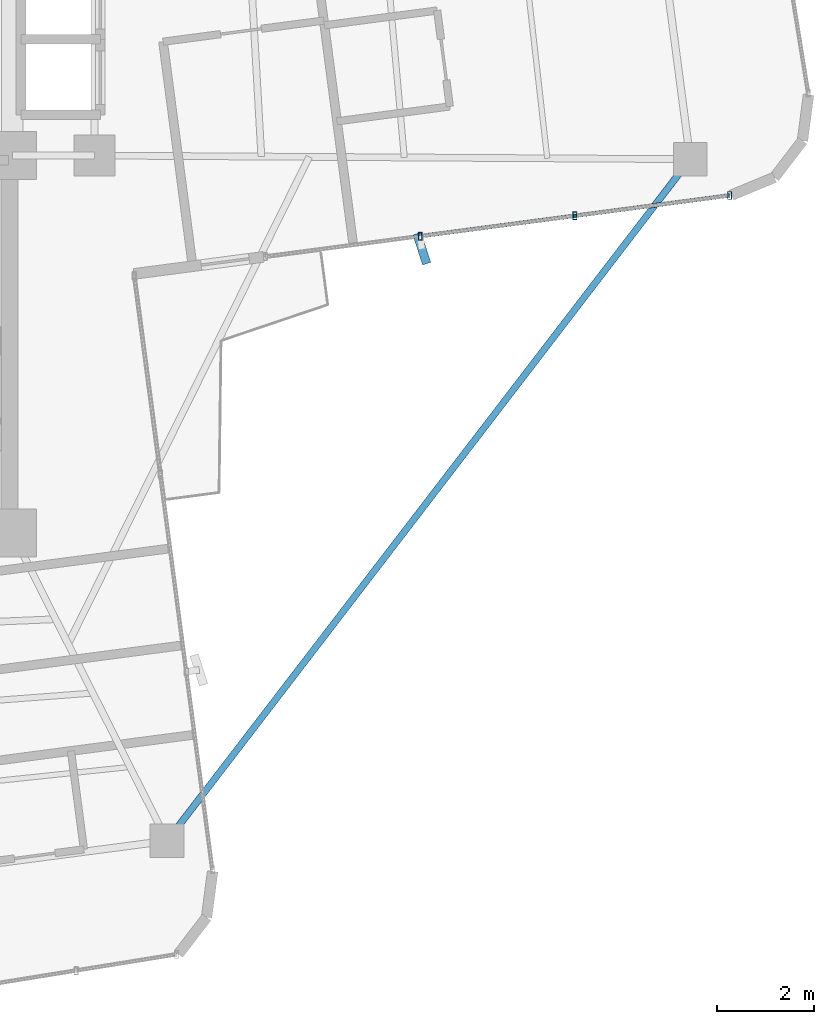
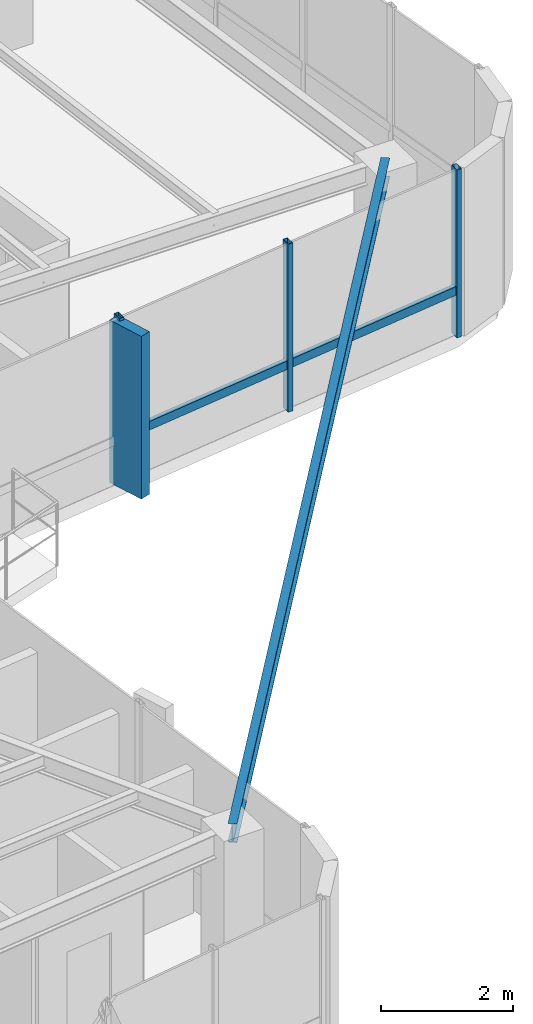
# One storey, part 12 of 22: 6 members, 1 beam, 1 element without a shape of its own.
"""IFC4 building model written with IfcOpenShell, lengths in metres."""

from ifc_helpers import new_model, si_unit, direction, frame, origin, origin_2d, place, context, subcontext, project, spatial, rectangle, hollow_rectangle, i_section, extrude, source, transform, mapped, material, material_profile, profile_set, type_object, element, aggregate, save


model = new_model("IFC4")

# Units and contexts
model_context = context("Model", 3, precision=1e-05, world=origin(), true_north=direction((0.0, 1.0)))
body_context = subcontext(model_context, "Body", "Model", "MODEL_VIEW")
ifc_project = project(units=[si_unit("LENGTHUNIT", "METRE"), si_unit("AREAUNIT", "SQUARE_METRE"), si_unit("VOLUMEUNIT", "CUBIC_METRE"), si_unit("PLANEANGLEUNIT", "RADIAN"), si_unit("MASSUNIT", "GRAM", prefix="KILO")], contexts=[model_context])

# Site, building, storey
site_placement = place(None, origin())
site = spatial("IfcSite", under=ifc_project, at=site_placement, CompositionType="ELEMENT")
building_placement = place(site_placement, origin())
building = spatial("IfcBuilding", under=site, at=building_placement, Name="Sahyath Konkavel Grand Hotel", CompositionType="ELEMENT")
storey_placement = place(building_placement, frame((0.0, 0.0, 234.449951171875)))
storey = spatial("IfcBuildingStorey", under=building, at=storey_placement, Name="L65", CompositionType="ELEMENT", Elevation=234.449951171875)

# Beam
ifc_material_1 = material(Name="Steel E350", Category="steel")
ifc_material_profile_1 = material_profile(ifc_material_1, i_section(OverallWidth=0.139892578125, OverallDepth=0.35009765625, WebThickness=0.008056640625, FlangeThickness=0.01416015625, FilletRadius=0.013916015625, at=origin_2d()), Name="ISMB 350")
ifc_profile_set_1 = profile_set([ifc_material_profile_1], Name="Steel E350")
beam_type = type_object("IfcBeamType", Name="BM-ISMB350", PredefinedType="BEAM", material=ifc_profile_set_1)
shared_shape_1 = source(origin(), body_context, "Body", "SweptSolid", [
    extrude(i_section(OverallWidth=0.139892578125, OverallDepth=0.35009765625, WebThickness=0.008056640625, FlangeThickness=0.01416015625, FilletRadius=0.013916015625, at=origin_2d()), origin(), (0.0, 0.0, 1.0), 17.754150390625),
])
beam_placement = place(storey_placement, frame((17.80859375, -2.4755859375, 2.93505859375), z_axis=(-0.608766657421, -0.793349328362, 0.0), x_axis=(0.793349328362, -0.608766657421, 0.0)))
element("IfcBeam", 1, at=beam_placement, inside=storey, type_object=beam_type, Name="L65 Re-Entrant Tie Beam SE", PredefinedType="BEAM", context=body_context, shape_type="MappedRepresentation", body=[
    mapped(shared_shape_1, transform((0.0, 0.0, 0.0), scale=1.0)),
])

# Curtain wall, members
ifc_material_2 = material(Name="Anodised Bronze Aluminium & Low-E Glazing", Category="aluminium")
curtain_wall_type = type_object("IfcCurtainWallType", Name="CW-ZONE4", PredefinedType="NOTDEFINED", material=ifc_material_2)
curtain_wall_placement = place(storey_placement, origin())
curtain_wall = element("IfcCurtainWall", 2, at=curtain_wall_placement, inside=storey, type_object=curtain_wall_type, Name="L65 Unitised Curtain Wall F0", PredefinedType="NOTDEFINED")
ifc_material_3 = material(Name="Warm Buff Sandstone Cladding on Concrete C50/60", Category="masonry")
ifc_material_profile_2 = material_profile(ifc_material_3, rectangle(XDim=0.179931640625, YDim=0.64990234375, at=origin_2d()), Name="FIN 180x650")
ifc_profile_set_2 = profile_set([ifc_material_profile_2], Name="Warm Buff Sandstone Cladding on Concrete C50/60")
member_type_1 = type_object("IfcMemberType", Name="FIN-SANDSTONE-650", PredefinedType="MULLION", material=ifc_profile_set_2)
shared_shape_2 = source(origin(), body_context, "Body", "SweptSolid", [
    extrude(rectangle(XDim=0.179931640625, YDim=0.64990234375, at=origin_2d()), origin(), (0.0, 0.0, 1.0), 3.010009765625),
])
member_1_placement = place(storey_placement, frame((12.26318359375, -4.325439453125, 0.050048828125), z_axis=(0.0, 0.0, 1.0), x_axis=(0.952236042525, 0.30536293049, 0.0)))
member_1 = element("IfcMember", 3, at=member_1_placement, type_object=member_type_1, Name="L65 Sandstone Vertical Solar Fin FIN F0-1", PredefinedType="MULLION", context=body_context, shape_type="MappedRepresentation", body=[
    mapped(shared_shape_2, transform((0.0, 0.0, 0.0), scale=1.0)),
])
ifc_material_4 = material(Name="Anodised Bronze Aluminium", Category="aluminium")
ifc_material_profile_3 = material_profile(ifc_material_4, hollow_rectangle(XDim=0.080078125, YDim=0.159912109375, WallThickness=0.006103515625, at=origin_2d()), Name="RHS 160x80x6")
ifc_profile_set_3 = profile_set([ifc_material_profile_3], Name="Anodised Bronze Aluminium")
member_type_2 = type_object("IfcMemberType", Name="CW-MUL-160", PredefinedType="MULLION", material=ifc_profile_set_3)
shared_shape_3 = source(origin(), body_context, "Body", "SweptSolid", [
    extrude(hollow_rectangle(XDim=0.080078125, YDim=0.159912109375, WallThickness=0.006103515625, at=origin_2d()), origin(), (0.0, 0.0, 1.0), 3.110107421875),
])
member_2_placement = place(storey_placement, frame((12.229248046875, -4.067626953125, 0.0), z_axis=(0.0, 0.0, 1.0), x_axis=(1.0, 0.0, 0.0)))
member_2 = element("IfcMember", 4, at=member_2_placement, type_object=member_type_2, Name="L65 Curtain Wall Mullion F0-1", PredefinedType="MULLION", context=body_context, shape_type="MappedRepresentation", body=[
    mapped(shared_shape_3, transform((0.0, 0.0, 0.0), scale=1.0)),
])
member_3_placement = place(storey_placement, frame((15.42626953125, -3.646484375, 0.0), z_axis=(0.0, 0.0, 1.0), x_axis=(1.0, 0.0, 0.0)))
member_3 = element("IfcMember", 5, at=member_3_placement, type_object=member_type_2, Name="L65 Curtain Wall Mullion F0-2", PredefinedType="MULLION", context=body_context, shape_type="MappedRepresentation", body=[
    mapped(shared_shape_3, transform((0.0, 0.0, 0.0), scale=1.0)),
])
member_4_placement = place(storey_placement, frame((18.623291015625, -3.2255859375, 0.0), z_axis=(0.0, 0.0, 1.0), x_axis=(1.0, 0.0, 0.0)))
member_4 = element("IfcMember", 6, at=member_4_placement, type_object=member_type_2, Name="L65 Curtain Wall Mullion F0-3", PredefinedType="MULLION", context=body_context, shape_type="MappedRepresentation", body=[
    mapped(shared_shape_3, transform((0.0, 0.0, 0.0), scale=1.0)),
])
ifc_material_profile_4 = material_profile(ifc_material_4, hollow_rectangle(XDim=0.080078125, YDim=0.159912109375, WallThickness=0.006103515625, at=origin_2d()), Name="RHS 160x80x6")
ifc_profile_set_4 = profile_set([ifc_material_profile_4], Name="Anodised Bronze Aluminium")
member_type_3 = type_object("IfcMemberType", Name="CW-TRN-160", PredefinedType="USERDEFINED", material=ifc_profile_set_4)
shared_shape_4 = source(origin(), body_context, "Body", "SweptSolid", [
    extrude(hollow_rectangle(XDim=0.080078125, YDim=0.159912109375, WallThickness=0.006103515625, at=origin_2d()), origin(), (0.0, 0.0, 1.0), 3.224609375),
])
member_5_placement = place(storey_placement, frame((12.229248046875, -4.067626953125, 0.85009765625), z_axis=(0.991434957495, 0.130601397608, 0.0), x_axis=(-0.130601397608, 0.991434957495, 0.0)))
member_5 = element("IfcMember", 7, at=member_5_placement, type_object=member_type_3, Name="L65 Curtain Wall Transom F0-1-spandrel", ObjectType="TRANSOM", PredefinedType="USERDEFINED", context=body_context, shape_type="MappedRepresentation", body=[
    mapped(shared_shape_4, transform((0.0, 0.0, 0.0), scale=1.0)),
])
member_6_placement = place(storey_placement, frame((15.42626953125, -3.646484375, 0.85009765625), z_axis=(0.991444758064, 0.13052697693, 0.0), x_axis=(-0.13052697693, 0.991444758064, 0.0)))
member_6 = element("IfcMember", 8, at=member_6_placement, type_object=member_type_3, Name="L65 Curtain Wall Transom F0-2-spandrel", ObjectType="TRANSOM", PredefinedType="USERDEFINED", context=body_context, shape_type="MappedRepresentation", body=[
    mapped(shared_shape_4, transform((0.0, 0.0, 0.0), scale=1.0)),
])
aggregate(curtain_wall, [member_2, member_1, member_3, member_4, member_5, member_6])

save(model, "model.ifc")
